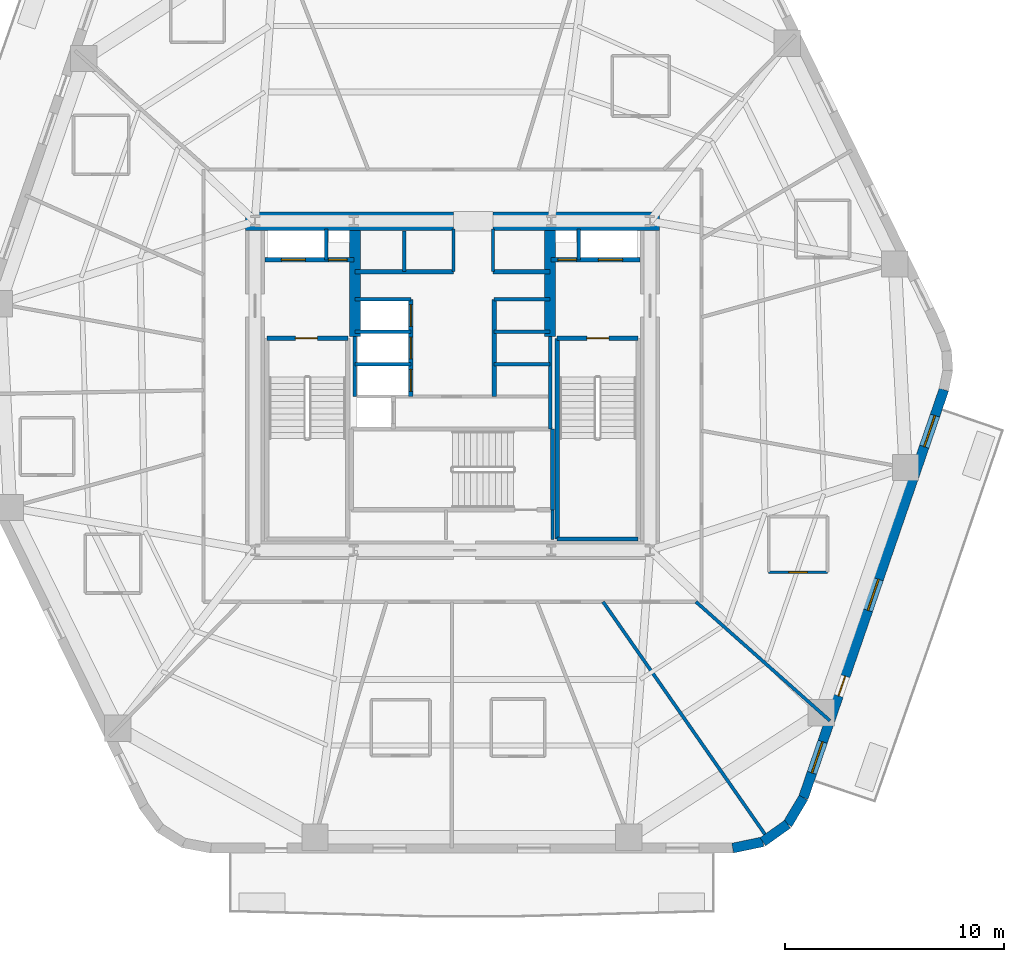
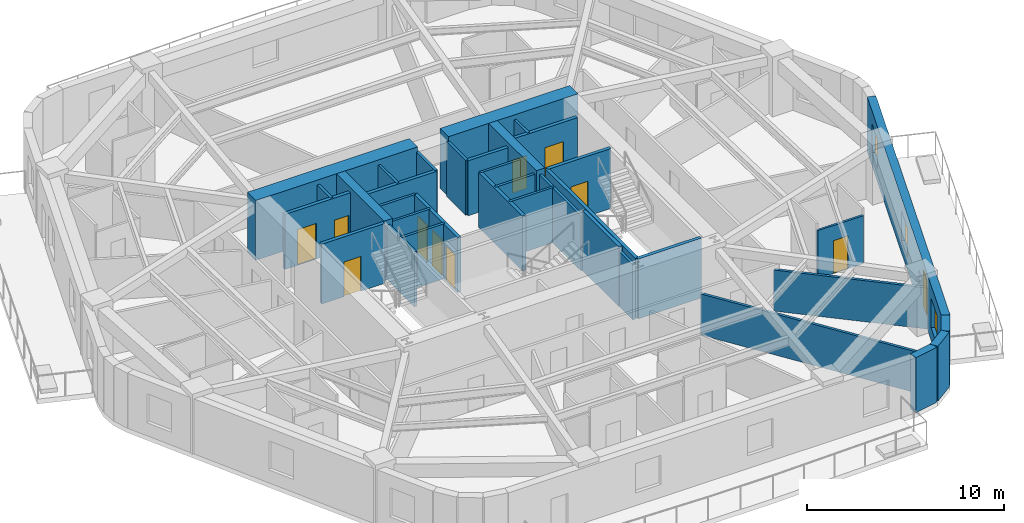
# One storey, part 4 of 8: 36 walls, 11 doors, 3 windows, 14 openings.
"""IFC4 building model written with IfcOpenShell, lengths in metres."""

import ifcopenshell
import ifcopenshell.guid

model = None  # the IFC model being written
_history = None  # IfcOwnerHistory: only IFC2X3 demands one
_inside = {}  # id of a spatial element -> (the spatial element, [elements in it])
_under = {}  # id of a project, library or spatial element -> (it, [spatial elements below it])
_declared = {}  # id of a project -> (the project, [libraries it declares])
_typed = {}  # id of a type object -> (the type object, [elements of that type])
_made_of = {}  # id of a material, layer set ... -> (it, [elements and type objects made of it])


def new_model(schema):
    """Start an empty IFC model of exactly this schema.

    Asked for "IFC4X3", IfcOpenShell would pick the latest addendum, in which some entities
    have other attributes; the version numbers below select the first issue.
    IFC2X3 requires an IfcOwnerHistory on every rooted entity: one is made here for all.
    """
    global model, _history
    if schema == "IFC4X3":
        model = ifcopenshell.file(schema_version=(4, 3, 0, 0))
    else:
        model = ifcopenshell.file(schema=schema)
    _inside.clear()
    _under.clear()
    _declared.clear()
    _typed.clear()
    _made_of.clear()
    _history = None
    if model.schema == "IFC2X3":
        org = make("IfcOrganization", Name="unknown")
        user = make(
            "IfcPersonAndOrganization",
            ThePerson=make("IfcPerson", FamilyName="unknown"),
            TheOrganization=org,
        )
        app = make(
            "IfcApplication",
            ApplicationDeveloper=org,
            Version="unknown",
            ApplicationFullName="unknown",
            ApplicationIdentifier="unknown",
        )
        _history = make(
            "IfcOwnerHistory",
            OwningUser=user,
            OwningApplication=app,
            ChangeAction="ADDED",
            CreationDate=0,
        )
    return model


def make(cls, **values):
    """One entity of the class cls with the attributes given. An attribute that is None is left unset."""
    return model.create_entity(
        cls, **{name: value for name, value in values.items() if value is not None}
    )


def rooted(cls, **values):
    """An entity with a GlobalId (a new one), such as an element, a storey or a relation."""
    return make(cls, GlobalId=ifcopenshell.guid.new(), OwnerHistory=_history, **values)


def si_unit(unit_type, name, prefix=None):
    """IfcSIUnit, for example si_unit("LENGTHUNIT", "METRE", prefix="MILLI")."""
    return make("IfcSIUnit", UnitType=unit_type, Prefix=prefix, Name=name)


def assignment(units):
    """IfcUnitAssignment: the units of a project."""
    return None if units is None else make("IfcUnitAssignment", Units=units)


def point(xyz):
    """IfcCartesianPoint."""
    return None if xyz is None else make("IfcCartesianPoint", Coordinates=xyz)


def direction(xyz):
    """IfcDirection."""
    return None if xyz is None else make("IfcDirection", DirectionRatios=xyz)


def frame(location, z_axis=None, x_axis=None):
    """IfcAxis2Placement3D, a coordinate frame: its origin and axes. An axis left out is left unset."""
    return make(
        "IfcAxis2Placement3D",
        Location=point(location),
        Axis=direction(z_axis),
        RefDirection=direction(x_axis),
    )


def frame_2d(location, x_axis=None):
    """IfcAxis2Placement2D, a coordinate frame in the plane: its origin and x axis."""
    return make(
        "IfcAxis2Placement2D", Location=point(location), RefDirection=direction(x_axis)
    )


def origin():
    """The frame at (0, 0, 0) with its axes left unset."""
    return frame((0.0, 0.0, 0.0))


def place(relative_to, where):
    """IfcLocalPlacement: puts the frame where relative to a parent placement (None: the world)."""
    return make(
        "IfcLocalPlacement", PlacementRelTo=relative_to, RelativePlacement=where
    )


def context(
    kind, dimensions, precision=None, world=None, true_north=None, identifier=None
):
    """IfcGeometricRepresentationContext, for example the 3D "Model" context."""
    return make(
        "IfcGeometricRepresentationContext",
        ContextIdentifier=identifier,
        ContextType=kind,
        CoordinateSpaceDimension=dimensions,
        Precision=precision,
        WorldCoordinateSystem=world,
        TrueNorth=true_north,
    )


def subcontext(parent, identifier, kind, view, scale=None):
    """IfcGeometricRepresentationSubContext, for example "Body" below "Model"."""
    return make(
        "IfcGeometricRepresentationSubContext",
        ContextIdentifier=identifier,
        ContextType=kind,
        ParentContext=parent,
        TargetScale=scale,
        TargetView=view,
    )


def project(units=None, contexts=None):
    """IfcProject with its units and contexts."""
    return rooted(
        "IfcProject",
        Name="project",
        RepresentationContexts=contexts,
        UnitsInContext=assignment(units),
    )


def spatial(cls, under=None, at=None, **own):
    """A site, building, storey or space (cls), placed at a placement, below another one or the project."""
    s = rooted(cls, ObjectPlacement=at, **own)
    if under is not None:
        _under.setdefault(under.id(), (under, []))[1].append(s)
    return s


def profile(cls, at=None, kind="AREA", **sizes):
    """A parametric profile (cls). Its sizes go by their IFC names, for example OverallWidth=200.0."""
    return make(cls, ProfileType=kind, Position=at, **sizes)


def rectangle(**sizes):
    """IfcRectangleProfileDef."""
    return profile("IfcRectangleProfileDef", **sizes)


def extrude(swept, where, along, depth):
    """IfcExtrudedAreaSolid: the profile swept, set in the frame where, extruded along a direction by depth."""
    return make(
        "IfcExtrudedAreaSolid",
        SweptArea=swept,
        Position=where,
        ExtrudedDirection=direction(along),
        Depth=depth,
    )


def shape(context_of_items, identifier, shape_type, items):
    """IfcShapeRepresentation: the items that make up one representation, for example the "Body"."""
    return make(
        "IfcShapeRepresentation",
        ContextOfItems=context_of_items,
        RepresentationIdentifier=identifier,
        RepresentationType=shape_type,
        Items=items,
    )


def material(Name=None, Category=None):
    """IfcMaterial."""
    return make("IfcMaterial", Name=Name, Category=Category)


def layer(
    of_material, thickness, ventilated=None, Name=None, Category=None, Priority=None
):
    """IfcMaterialLayer: one layer of a wall or slab, of a material (None: an air gap)."""
    return make(
        "IfcMaterialLayer",
        Material=of_material,
        LayerThickness=thickness,
        IsVentilated=ventilated,
        Name=Name,
        Category=Category,
        Priority=Priority,
    )


def layer_set(layers, Name=None):
    """IfcMaterialLayerSet."""
    return make("IfcMaterialLayerSet", MaterialLayers=layers, LayerSetName=Name)


def made_of(thing, what):
    """Note that an element or type object is made of a material, layer set ...; save() writes the relation."""
    if what is not None:
        _made_of.setdefault(what.id(), (what, []))[1].append(thing)
    return thing


def type_object(cls, material=None, **own):
    """A type object (cls), such as IfcWallType, which elements share."""
    return made_of(rooted(cls, **own), material)


def element(
    cls,
    number,
    at=None,
    inside=None,
    cuts=None,
    type_object=None,
    material=None,
    context=None,
    identifier="Body",
    shape_type=None,
    held_by="IfcProductDefinitionShape",
    body=None,
    shapes=None,
    **own,
):
    """One element of the class cls, such as IfcWall. Its Tag is "e" and its number.

    at: its placement. inside: the storey or other place that contains it. cuts: it is an
    opening in that element (IfcRelVoidsElement). A single representation is given by context,
    identifier, shape_type and body (its items); several are given by shapes. held_by: the class
    of the entity that holds the representations. save() writes the other relations.
    """
    e = rooted(cls, Tag="e%d" % number, ObjectPlacement=at, **own)
    if body is not None:
        shapes = [shape(context, identifier, shape_type, body)]
    if shapes is not None:
        e.Representation = make(held_by, Representations=shapes)
    if inside is not None:
        _inside.setdefault(inside.id(), (inside, []))[1].append(e)
    if cuts is not None:
        rooted(
            "IfcRelVoidsElement", RelatingBuildingElement=cuts, RelatedOpeningElement=e
        )
    if type_object is not None:
        _typed.setdefault(type_object.id(), (type_object, []))[1].append(e)
    return made_of(e, material)


def fill(opening, filler):
    """IfcRelFillsElement: the door or window that sits in an opening."""
    return rooted(
        "IfcRelFillsElement",
        RelatingOpeningElement=opening,
        RelatedBuildingElement=filler,
    )


def aggregate(whole, parts):
    """IfcRelAggregates: a whole, such as a stair, and the parts it consists of."""
    return rooted("IfcRelAggregates", RelatingObject=whole, RelatedObjects=parts)


def save(model, path):
    """Write the relations noted so far, then the file.

    IfcRelAggregates (storeys below a building ...), IfcRelContainedInSpatialStructure (elements
    in a storey), IfcRelDefinesByType, IfcRelAssociatesMaterial and IfcRelDeclares: one each for
    every whole, place, type object, material and project.
    """
    for whole, parts in _under.values():
        aggregate(whole, parts)
    for where, things in _inside.values():
        rooted(
            "IfcRelContainedInSpatialStructure",
            RelatedElements=things,
            RelatingStructure=where,
        )
    for kind, things in _typed.values():
        rooted("IfcRelDefinesByType", RelatedObjects=things, RelatingType=kind)
    for what, things in _made_of.values():
        rooted("IfcRelAssociatesMaterial", RelatedObjects=things, RelatingMaterial=what)
    for by, libraries in _declared.values():
        rooted("IfcRelDeclares", RelatingContext=by, RelatedDefinitions=libraries)
    model.write(path)


model = new_model("IFC4")

# Units and contexts
model_context = context("Model", 3, precision=1e-05, world=origin(), true_north=direction((0.0, 1.0)))
body_context = subcontext(model_context, "Body", "Model", "MODEL_VIEW")
ifc_project = project(units=[si_unit("LENGTHUNIT", "METRE"), si_unit("AREAUNIT", "SQUARE_METRE"), si_unit("VOLUMEUNIT", "CUBIC_METRE"), si_unit("PLANEANGLEUNIT", "RADIAN"), si_unit("MASSUNIT", "GRAM", prefix="KILO")], contexts=[model_context])

# Site, building, storey
site_placement = place(None, origin())
site = spatial("IfcSite", under=ifc_project, at=site_placement, CompositionType="ELEMENT")
building_placement = place(site_placement, origin())
building = spatial("IfcBuilding", under=site, at=building_placement, Name="Kilnhurst Terrace Hotel", CompositionType="ELEMENT")
storey_placement = place(building_placement, frame((0.0, 0.0, 109.89990234375)))
storey = spatial("IfcBuildingStorey", under=building, at=storey_placement, Name="L26", CompositionType="ELEMENT", Elevation=109.89990234375)

# Walls
ifc_material_1 = material(Name="Precast concrete C40/50", Category="concrete")
ifc_layer_1 = layer(ifc_material_1, 0.449951171875, Name="Precast concrete C40/50")
ifc_layer_set_1 = layer_set([ifc_layer_1], Name="Precast concrete C40/50")
wall_type_1 = type_object("IfcWallType", Name="WL-BRK-450", PredefinedType="SOLIDWALL", material=ifc_layer_set_1)
wall_1_placement = place(storey_placement, frame((12.7705078125, -21.074951171875, 0.0), z_axis=(0.0, 0.0, 1.0), x_axis=(0.97874281988, 0.205091424819, 0.0)))
element("IfcWall", 1, at=wall_1_placement, inside=storey, type_object=wall_type_1, Name="L26 Rounded Corner Brick Wall C2.1", PredefinedType="SOLIDWALL", context=body_context, shape_type="SweptSolid", body=[
    extrude(rectangle(XDim=1.40576171875, YDim=0.449951171875, at=frame_2d((0.702880859375, 0.0))), origin(), (0.0, 0.0, 1.0), 3.400146484375),
])
wall_2_placement = place(storey_placement, frame((14.146484375, -20.78662109375, 0.0), z_axis=(0.0, 0.0, 1.0), x_axis=(0.814162929117, 0.580636482536, 0.0)))
element("IfcWall", 2, at=wall_2_placement, inside=storey, type_object=wall_type_1, Name="L26 Rounded Corner Brick Wall C2.2", PredefinedType="SOLIDWALL", context=body_context, shape_type="SweptSolid", body=[
    extrude(rectangle(XDim=1.382080078125, YDim=0.449951171875, at=frame_2d((0.69091796875, 0.0))), origin(), (0.0, 0.0, 1.0), 3.400146484375),
])
wall_3_placement = place(storey_placement, frame((15.271728515625, -19.984130859375, 0.0), z_axis=(0.0, 0.0, 1.0), x_axis=(0.512579347361, 0.858639862025, 0.0)))
element("IfcWall", 3, at=wall_3_placement, inside=storey, type_object=wall_type_1, Name="L26 Rounded Corner Brick Wall C2.3", PredefinedType="SOLIDWALL", context=body_context, shape_type="SweptSolid", body=[
    extrude(rectangle(XDim=1.406005859375, YDim=0.449951171875, at=frame_2d((0.703125, 0.0))), origin(), (0.0, 0.0, 1.0), 3.400146484375),
])

# Wall, openings, door, windows
wall_4_placement = place(storey_placement, frame((15.992431640625, -18.77685546875, 0.0), z_axis=(0.0, 0.0, 1.0), x_axis=(0.325606988926, 0.945505202927, 0.0)))
wall_4 = element("IfcWall", 4, at=wall_4_placement, inside=storey, type_object=wall_type_1, Name="L26 Exterior Brick Facade Wall F2", PredefinedType="SOLIDWALL", context=body_context, shape_type="SweptSolid", body=[
    extrude(rectangle(XDim=19.66943359375, YDim=0.449951171875, at=frame_2d((9.834716796875, 0.0))), origin(), (0.0, 0.0, 1.0), 3.400146484375),
])
opening_1_placement = place(wall_4_placement, frame((4.908935546875, 0.0, 0.0)))
opening_1 = element("IfcOpeningElement", 5, at=opening_1_placement, cuts=wall_4, Name="Opening BD-950", PredefinedType="OPENING", context=body_context, shape_type="SweptSolid", body=[
    extrude(rectangle(XDim=0.949951171875, YDim=2.14990234375, at=frame_2d((0.47509765625, 1.074951171875))), frame((0.0, 0.23486328125, 0.0), z_axis=(0.0, -1.0, 0.0), x_axis=(1.0, 0.0, 0.0)), (0.0, 0.0, 1.0), 0.469970703125),
])
opening_2_placement = place(wall_4_placement, frame((1.197021484375, 0.0, 0.800048828125)))
opening_2 = element("IfcOpeningElement", 6, at=opening_2_placement, cuts=wall_4, Name="Opening W-02", PredefinedType="OPENING", context=body_context, shape_type="SweptSolid", body=[
    extrude(rectangle(XDim=1.5, YDim=1.800048828125, at=frame_2d((0.75, 0.89990234375))), frame((0.0, 0.23486328125, 0.0), z_axis=(0.0, -1.0, 0.0), x_axis=(1.0, 0.0, 0.0)), (0.0, 0.0, 1.0), 0.469970703125),
])
opening_3_placement = place(wall_4_placement, frame((9.030029296875, 0.0, 0.800048828125)))
opening_3 = element("IfcOpeningElement", 7, at=opening_3_placement, cuts=wall_4, Name="Opening W-02", PredefinedType="OPENING", context=body_context, shape_type="SweptSolid", body=[
    extrude(rectangle(XDim=1.5, YDim=1.800048828125, at=frame_2d((0.75, 0.89990234375))), frame((0.0, 0.23486328125, 0.0), z_axis=(0.0, -1.0, 0.0), x_axis=(1.0, 0.0, 0.0)), (0.0, 0.0, 1.0), 0.469970703125),
])
opening_4_placement = place(wall_4_placement, frame((16.91796875, 0.0, 0.800048828125)))
opening_4 = element("IfcOpeningElement", 8, at=opening_4_placement, cuts=wall_4, Name="Opening W-02", PredefinedType="OPENING", context=body_context, shape_type="SweptSolid", body=[
    extrude(rectangle(XDim=1.5, YDim=1.800048828125, at=frame_2d((0.75, 0.89990234375))), frame((0.0, 0.23486328125, 0.0), z_axis=(0.0, -1.0, 0.0), x_axis=(1.0, 0.0, 0.0)), (0.0, 0.0, 1.0), 0.469970703125),
])
ifc_material_2 = material(Name="Thermally Broken Bronze Aluminium Alloy 6063-T6 and Laminated Glass", Category="aluminium")
door_type_1 = type_object("IfcDoorType", Name="DR-EXT-BAL-950", OperationType="NOTDEFINED", PredefinedType="DOOR", material=ifc_material_2)
door_1_placement = place(opening_1_placement, origin())
door_1 = element("IfcDoor", 9, at=door_1_placement, inside=storey, type_object=door_type_1, Name="L26 Planted Balcony Door BAL-L1B", OperationType="SINGLE_SWING_RIGHT", OverallHeight=2.14990234375, OverallWidth=0.949951171875, PredefinedType="DOOR", context=body_context, shape_type="SweptSolid", body=[
    extrude(rectangle(XDim=0.949951171875, YDim=2.14990234375, at=frame_2d((0.47509765625, 1.074951171875))), frame((0.0, 0.02490234375, 0.0), z_axis=(0.0, -1.0, 0.0), x_axis=(1.0, 0.0, 0.0)), (0.0, 0.0, 1.0), 0.050048828125),
])
fill(opening_1, door_1)
ifc_material_3 = material(Name="Thermally Broken Bronze Aluminium Alloy 6063-T6 and Low-E Glass", Category="aluminium")
window_type = type_object("IfcWindowType", Name="WIN-1500X1800", PartitioningType="SINGLE_PANEL", PredefinedType="WINDOW", material=ifc_material_3)
window_1_placement = place(opening_2_placement, origin())
window_1 = element("IfcWindow", 10, at=window_1_placement, inside=storey, type_object=window_type, Name="L26 Deep-Set Masonry Window F2.1", OverallHeight=1.800048828125, OverallWidth=1.5, PartitioningType="SINGLE_PANEL", PredefinedType="WINDOW", context=body_context, shape_type="SweptSolid", body=[
    extrude(rectangle(XDim=1.5, YDim=1.800048828125, at=frame_2d((0.75, 0.89990234375))), frame((0.0, 0.030029296875, 0.0), z_axis=(0.0, -1.0, 0.0), x_axis=(1.0, 0.0, 0.0)), (0.0, 0.0, 1.0), 0.06005859375),
])
fill(opening_2, window_1)
window_2_placement = place(opening_3_placement, origin())
window_2 = element("IfcWindow", 11, at=window_2_placement, inside=storey, type_object=window_type, Name="L26 Deep-Set Masonry Window F2.2", OverallHeight=1.800048828125, OverallWidth=1.5, PartitioningType="SINGLE_PANEL", PredefinedType="WINDOW", context=body_context, shape_type="SweptSolid", body=[
    extrude(rectangle(XDim=1.5, YDim=1.800048828125, at=frame_2d((0.75, 0.89990234375))), frame((0.0, 0.030029296875, 0.0), z_axis=(0.0, -1.0, 0.0), x_axis=(1.0, 0.0, 0.0)), (0.0, 0.0, 1.0), 0.06005859375),
])
fill(opening_3, window_2)
window_3_placement = place(opening_4_placement, origin())
window_3 = element("IfcWindow", 12, at=window_3_placement, inside=storey, type_object=window_type, Name="L26 Deep-Set Masonry Window F2.3", OverallHeight=1.800048828125, OverallWidth=1.5, PartitioningType="SINGLE_PANEL", PredefinedType="WINDOW", context=body_context, shape_type="SweptSolid", body=[
    extrude(rectangle(XDim=1.5, YDim=1.800048828125, at=frame_2d((0.75, 0.89990234375))), frame((0.0, 0.030029296875, 0.0), z_axis=(0.0, -1.0, 0.0), x_axis=(1.0, 0.0, 0.0)), (0.0, 0.0, 1.0), 0.06005859375),
])
fill(opening_4, window_3)

# Walls
ifc_material_4 = material(Name="Concrete C80/95", Category="concrete")
ifc_layer_2 = layer(ifc_material_4, 0.85009765625, Name="Concrete C80/95")
ifc_layer_set_2 = layer_set([ifc_layer_2], Name="Concrete C80/95")
wall_type_2 = type_object("IfcWallType", Name="WL-CORE-850", PredefinedType="SHEAR", material=ifc_layer_set_2)
wall_5_placement = place(storey_placement, frame((-9.425048828125, 7.5, 0.0), z_axis=(0.0, 0.0, 1.0), x_axis=(1.0, 0.0, 0.0)))
element("IfcWall", 13, at=wall_5_placement, inside=storey, type_object=wall_type_2, Name="L26 Core North West Shear Wall", PredefinedType="SHEAR", context=body_context, shape_type="SweptSolid", body=[
    extrude(rectangle(XDim=9.47509765625, YDim=0.85009765625, at=frame_2d((4.737548828125, 0.0))), origin(), (0.0, 0.0, 1.0), 3.7001953125),
])
wall_6_placement = place(storey_placement, frame((1.85009765625, 7.5, 0.0), z_axis=(0.0, 0.0, 1.0), x_axis=(1.0, 0.0, 0.0)))
element("IfcWall", 14, at=wall_6_placement, inside=storey, type_object=wall_type_2, Name="L26 Core North East Shear Wall", PredefinedType="SHEAR", context=body_context, shape_type="SweptSolid", body=[
    extrude(rectangle(XDim=7.574951171875, YDim=0.85009765625, at=frame_2d((3.78759765625, 0.0))), origin(), (0.0, 0.0, 1.0), 3.7001953125),
])
ifc_material_5 = material(Name="Concrete C60/75", Category="concrete")
ifc_layer_3 = layer(ifc_material_5, 0.5, Name="Concrete C60/75")
ifc_layer_set_3 = layer_set([ifc_layer_3], Name="Concrete C60/75")
wall_type_3 = type_object("IfcWallType", Name="WL-CORE-WEB-500", PredefinedType="SHEAR", material=ifc_layer_set_3)
for number, where, z_axis, x_axis, name in (
    (15, (-4.449951171875, 2.25, 0.0), (0.0, 0.0, 1.0), (0.0, 1.0, 0.0), "L26 Core Internal West Shear Web"),
    (16, (4.449951171875, 2.25, 0.0), (0.0, 0.0, 1.0), (0.0, 1.0, 0.0), "L26 Core Internal East Shear Web"),
):
    element("IfcWall", number, at=place(storey_placement, frame(where, z_axis=z_axis, x_axis=x_axis)), inside=storey, type_object=wall_type_3, Name=name, PredefinedType="SHEAR", context=body_context, shape_type="SweptSolid", body=[
        extrude(rectangle(XDim=4.824951171875, YDim=0.5, at=frame_2d((2.41259765625, 0.0))), origin(), (0.0, 0.0, 1.0), 3.7001953125),
    ])
ifc_material_6 = material(Name="STC-58 Acoustic Twin-Frame Guestroom Demising Partition")
ifc_layer_4 = layer(ifc_material_6, 0.14990234375, Name="STC-58 Acoustic Twin-Frame Guestroom Demising Partition")
ifc_layer_set_4 = layer_set([ifc_layer_4], Name="STC-58 Acoustic Twin-Frame Guestroom Demising Partition")
wall_type_4 = type_object("IfcWallType", Name="WL-DEM-150", PredefinedType="PARTITIONING", material=ifc_layer_set_4)
wall_7_placement = place(storey_placement, frame((6.861083984375, -9.85009765625, 0.0), z_axis=(0.0, 0.0, 1.0), x_axis=(0.571575431292, -0.820549527051, 0.0)))
element("IfcWall", 17, at=wall_7_placement, inside=storey, type_object=wall_type_4, Name="L26 Interior Wall WL-L26-DEM-MID10-15-1", PredefinedType="PARTITIONING", context=body_context, shape_type="SweptSolid", body=[
    extrude(rectangle(XDim=12.97509765625, YDim=0.14990234375, at=frame_2d((6.487548828125, 0.0))), origin(), (0.0, 0.0, 1.0), 2.5400390625),
])
wall_8_placement = place(storey_placement, frame((11.097900390625, -9.85009765625, 0.0), z_axis=(0.0, 0.0, 1.0), x_axis=(0.747904295103, -0.663806572253, 0.0)))
element("IfcWall", 18, at=wall_8_placement, inside=storey, type_object=wall_type_4, Name="L26 Interior Wall WL-L26-DEM-COL11-16-1", PredefinedType="PARTITIONING", context=body_context, shape_type="SweptSolid", body=[
    extrude(rectangle(XDim=8.160400390625, YDim=0.14990234375, at=frame_2d((4.080078125, 0.0))), origin(), (0.0, 0.0, 1.0), 2.5400390625),
])

# Wall, opening, door
ifc_material_7 = material(Name="120 mm Moisture-Resistant Tile-Backed Bathroom Partition")
ifc_layer_5 = layer(ifc_material_7, 0.1201171875, Name="120 mm Moisture-Resistant Tile-Backed Bathroom Partition")
ifc_layer_set_5 = layer_set([ifc_layer_5], Name="120 mm Moisture-Resistant Tile-Backed Bathroom Partition")
wall_type_5 = type_object("IfcWallType", Name="WL-PART-120", PredefinedType="PARTITIONING", material=ifc_layer_set_5)
wall_9_placement = place(storey_placement, frame((14.4140625, -8.5, 0.0), z_axis=(0.0, 0.0, 1.0), x_axis=(1.0, 0.0, 0.0)))
wall_9 = element("IfcWall", 19, at=wall_9_placement, inside=storey, type_object=wall_type_5, Name="L26 Interior Wall WL-L26-BTH-16-1", PredefinedType="PARTITIONING", context=body_context, shape_type="SweptSolid", body=[
    extrude(rectangle(XDim=2.679931640625, YDim=0.1201171875, at=frame_2d((1.33984375, 0.0))), origin(), (0.0, 0.0, 1.0), 2.972412109375),
])
opening_5_placement = place(wall_9_placement, frame((0.9150390625, 0.0, 0.0)))
opening_5 = element("IfcOpeningElement", 20, at=opening_5_placement, cuts=wall_9, Name="Opening D-08A", PredefinedType="OPENING", context=body_context, shape_type="SweptSolid", body=[
    extrude(rectangle(XDim=0.85009765625, YDim=2.030029296875, at=frame_2d((0.425048828125, 1.01513671875))), frame((0.0, 0.070068359375, 0.0), z_axis=(0.0, -1.0, 0.0), x_axis=(1.0, 0.0, 0.0)), (0.0, 0.0, 1.0), 0.14013671875),
])
ifc_material_8 = material(Name="Moisture-Resistant Lacquered En-suite Bathroom Door")
door_type_2 = type_object("IfcDoorType", Name="DR-INT-850", OperationType="NOTDEFINED", PredefinedType="DOOR", material=ifc_material_8)
door_2_placement = place(opening_5_placement, origin())
door_2 = element("IfcDoor", 21, at=door_2_placement, inside=storey, type_object=door_type_2, Name="L26 En-suite Bathroom Door 16", OperationType="SINGLE_SWING_LEFT", OverallHeight=2.030029296875, OverallWidth=0.85009765625, PredefinedType="DOOR", context=body_context, shape_type="SweptSolid", body=[
    extrude(rectangle(XDim=0.85009765625, YDim=2.030029296875, at=frame_2d((0.425048828125, 1.01513671875))), frame((0.0, 0.02490234375, 0.0), z_axis=(0.0, -1.0, 0.0), x_axis=(1.0, 0.0, 0.0)), (0.0, 0.0, 1.0), 0.050048828125),
])
fill(opening_5, door_2)

# Walls
ifc_material_9 = material(Name="Fire-Rated Gypsum Shaftliner Assembly")
ifc_layer_6 = layer(ifc_material_9, 0.14990234375, Name="Fire-Rated Gypsum Shaftliner Assembly")
ifc_layer_set_6 = layer_set([ifc_layer_6], Name="Fire-Rated Gypsum Shaftliner Assembly")
wall_type_6 = type_object("IfcWallType", Name="WL-SHAFT-150", PredefinedType="PARTITIONING", material=ifc_layer_set_6)
wall_10_placement = place(storey_placement, frame((4.55810546875, -7.02001953125, 0.0), z_axis=(0.0, 0.0, 1.0), x_axis=(0.0, 1.0, 0.0)))
element("IfcWall", 22, at=wall_10_placement, inside=storey, type_object=wall_type_6, Name="L26 Interior Wall WL-L26-ST3-PSGE", PredefinedType="PARTITIONING", context=body_context, shape_type="SweptSolid", body=[
    extrude(rectangle(XDim=1.362060546875, YDim=0.14990234375, at=frame_2d((0.68115234375, 0.0))), origin(), (0.0, 0.0, 1.0), 3.400146484375),
])
for number, where, z_axis, x_axis, name in (
    (23, (-5.75, 5.739990234375, 0.0), (0.0, 0.0, 1.0), (0.0, 1.0, 0.0), "L26 Interior Wall WL-L26-RIS1-DIV"),
    (24, (5.75, 5.739990234375, 0.0), (0.0, 0.0, 1.0), (0.0, 1.0, 0.0), "L26 Interior Wall WL-L26-RIS2-DIV"),
):
    element("IfcWall", number, at=place(storey_placement, frame(where, z_axis=z_axis, x_axis=x_axis)), inside=storey, type_object=wall_type_6, Name=name, PredefinedType="PARTITIONING", context=body_context, shape_type="SweptSolid", body=[
        extrude(rectangle(XDim=1.409912109375, YDim=0.14990234375, at=frame_2d((0.705078125, 0.0))), origin(), (0.0, 0.0, 1.0), 3.400146484375),
    ])
wall_11_placement = place(storey_placement, frame((-2.199951171875, 5.199951171875, 0.0), z_axis=(0.0, 0.0, 1.0), x_axis=(0.0, 1.0, 0.0)))
element("IfcWall", 25, at=wall_11_placement, inside=storey, type_object=wall_type_6, Name="L26 Interior Wall WL-L26-HR-DIV1", PredefinedType="PARTITIONING", context=body_context, shape_type="SweptSolid", body=[
    extrude(rectangle(XDim=1.85009765625, YDim=0.14990234375, at=frame_2d((0.925048828125, 0.0))), origin(), (0.0, 0.0, 1.0), 3.400146484375),
])
for number, where, z_axis, x_axis, name in (
    (26, (0.050048828125, 5.199951171875, 0.0), (0.0, 0.0, 1.0), (0.0, 1.0, 0.0), "L26 Interior Wall WL-L26-HR-PORTAL-W"),
    (27, (1.85009765625, 5.199951171875, 0.0), (0.0, 0.0, 1.0), (0.0, 1.0, 0.0), "L26 Interior Wall WL-L26-HR-PORTAL-E"),
):
    element("IfcWall", number, at=place(storey_placement, frame(where, z_axis=z_axis, x_axis=x_axis)), inside=storey, type_object=wall_type_6, Name=name, PredefinedType="PARTITIONING", context=body_context, shape_type="SweptSolid", body=[
        extrude(rectangle(XDim=1.949951171875, YDim=0.14990234375, at=frame_2d((0.97509765625, 0.0))), origin(), (0.0, 0.0, 1.0), 3.400146484375),
    ])
wall_12_placement = place(storey_placement, frame((-4.449951171875, -0.5, 0.0), z_axis=(0.0, 0.0, 1.0), x_axis=(0.0, 1.0, 0.0)))
element("IfcWall", 28, at=wall_12_placement, inside=storey, type_object=wall_type_6, Name="L26 Interior Wall WL-L26-XLOB-W", PredefinedType="PARTITIONING", context=body_context, shape_type="SweptSolid", body=[
    extrude(rectangle(XDim=2.75, YDim=0.14990234375, at=frame_2d((1.375, 0.0))), origin(), (0.0, 0.0, 1.0), 3.400146484375),
])
wall_13_placement = place(storey_placement, frame((4.449951171875, -1.971923828125, 0.0), z_axis=(0.0, 0.0, 1.0), x_axis=(0.0, 1.0, 0.0)))
element("IfcWall", 29, at=wall_13_placement, inside=storey, type_object=wall_type_6, Name="L26 Interior Wall WL-L26-XLOB-E", PredefinedType="PARTITIONING", context=body_context, shape_type="SweptSolid", body=[
    extrude(rectangle(XDim=4.221923828125, YDim=0.14990234375, at=frame_2d((2.11083984375, 0.0))), origin(), (0.0, 0.0, 1.0), 3.400146484375),
])
for number, where, z_axis, x_axis, name in (
    (30, (-4.449951171875, 3.93994140625, 0.0), (0.0, 0.0, 1.0), (1.0, 0.0, 0.0), "L26 Interior Wall WL-L26-LR-NORTH"),
    (31, (-4.449951171875, 0.97998046875, 0.0), (0.0, 0.0, 1.0), (1.0, 0.0, 0.0), "L26 Interior Wall WL-L26-LR-D1"),
    (32, (-4.449951171875, 2.4599609375, 0.0), (0.0, 0.0, 1.0), (1.0, 0.0, 0.0), "L26 Interior Wall WL-L26-LR-D2"),
    (33, (1.89990234375, 3.93994140625, 0.0), (0.0, 0.0, 1.0), (1.0, 0.0, 0.0), "L26 Interior Wall WL-L26-MR-NORTH"),
    (34, (1.89990234375, 0.97998046875, 0.0), (0.0, 0.0, 1.0), (1.0, 0.0, 0.0), "L26 Interior Wall WL-L26-MR-D1"),
    (35, (1.89990234375, 2.4599609375, 0.0), (0.0, 0.0, 1.0), (1.0, 0.0, 0.0), "L26 Interior Wall WL-L26-MR-D2"),
):
    element("IfcWall", number, at=place(storey_placement, frame(where, z_axis=z_axis, x_axis=x_axis)), inside=storey, type_object=wall_type_6, Name=name, PredefinedType="PARTITIONING", context=body_context, shape_type="SweptSolid", body=[
        extrude(rectangle(XDim=2.550048828125, YDim=0.14990234375, at=frame_2d((1.27490234375, 0.0))), origin(), (0.0, 0.0, 1.0), 3.400146484375),
    ])

# Wall, openings, doors
ifc_material_10 = material(Name="Autoclaved Aerated Concrete C30/37 and Gypsum Shaft Assembly", Category="concrete")
ifc_layer_7 = layer(ifc_material_10, 0.199951171875, Name="Autoclaved Aerated Concrete C30/37 and Gypsum Shaft Assembly")
ifc_layer_set_7 = layer_set([ifc_layer_7], Name="Autoclaved Aerated Concrete C30/37 and Gypsum Shaft Assembly")
wall_type_7 = type_object("IfcWallType", Name="WL-SHAFT-200", PredefinedType="PARTITIONING", material=ifc_layer_set_7)
wall_14_placement = place(storey_placement, frame((-8.550048828125, 5.739990234375, 0.0), z_axis=(0.0, 0.0, 1.0), x_axis=(1.0, 0.0, 0.0)))
wall_14 = element("IfcWall", 36, at=wall_14_placement, inside=storey, type_object=wall_type_7, Name="L26 Interior Wall WL-L26-FSAE1-S", PredefinedType="PARTITIONING", context=body_context, shape_type="SweptSolid", body=[
    extrude(rectangle(XDim=4.050048828125, YDim=0.199951171875, at=frame_2d((2.02490234375, 0.0))), origin(), (0.0, 0.0, 1.0), 3.400146484375),
])
opening_6_placement = place(wall_14_placement, frame((0.75, 0.0, 0.0)))
opening_6 = element("IfcOpeningElement", 37, at=opening_6_placement, cuts=wall_14, Name="Opening LD-F1", PredefinedType="OPENING", context=body_context, shape_type="SweptSolid", body=[
    extrude(rectangle(XDim=1.10009765625, YDim=2.199951171875, at=frame_2d((0.550048828125, 1.10009765625))), frame((0.0, 0.10986328125, 0.0), z_axis=(0.0, -1.0, 0.0), x_axis=(1.0, 0.0, 0.0)), (0.0, 0.0, 1.0), 0.219970703125),
])
opening_7_placement = place(wall_14_placement, frame((2.89990234375, 0.0, 0.0)))
opening_7 = element("IfcOpeningElement", 38, at=opening_7_placement, cuts=wall_14, Name="Opening D-60D", PredefinedType="OPENING", context=body_context, shape_type="SweptSolid", body=[
    extrude(rectangle(XDim=0.85009765625, YDim=2.030029296875, at=frame_2d((0.425048828125, 1.01513671875))), frame((0.0, 0.10986328125, 0.0), z_axis=(0.0, -1.0, 0.0), x_axis=(1.0, 0.0, 0.0)), (0.0, 0.0, 1.0), 0.219970703125),
])
ifc_material_11 = material(Name="Painted Hollow Metal Steel ASTM A36 Riser Door", Category="steel")
door_type_3 = type_object("IfcDoorType", Name="DR-FD60-850", OperationType="NOTDEFINED", PredefinedType="DOOR", material=ifc_material_11)
door_3_placement = place(opening_7_placement, origin())
door_3 = element("IfcDoor", 39, at=door_3_placement, inside=storey, type_object=door_type_3, Name="L26 Electrical Riser Door", OperationType="SINGLE_SWING_LEFT", OverallHeight=2.030029296875, OverallWidth=0.85009765625, PredefinedType="DOOR", context=body_context, shape_type="SweptSolid", body=[
    extrude(rectangle(XDim=0.85009765625, YDim=2.030029296875, at=frame_2d((0.425048828125, 1.01513671875))), frame((0.0, 0.02490234375, 0.0), z_axis=(0.0, -1.0, 0.0), x_axis=(1.0, 0.0, 0.0)), (0.0, 0.0, 1.0), 0.050048828125),
])
fill(opening_7, door_3)
ifc_material_12 = material(Name="Bronze-Anodized Stainless Steel AISI 316L Sliding Door", Category="steel")
door_type_4 = type_object("IfcDoorType", Name="DR-LIFT-1100", OperationType="NOTDEFINED", PredefinedType="DOOR", material=ifc_material_12)
door_4_placement = place(opening_6_placement, origin())
door_4 = element("IfcDoor", 40, at=door_4_placement, inside=storey, type_object=door_type_4, Name="L26 FSAE-1 Landing Door", OperationType="SLIDING_TO_LEFT", OverallHeight=2.199951171875, OverallWidth=1.10009765625, PredefinedType="DOOR", context=body_context, shape_type="SweptSolid", body=[
    extrude(rectangle(XDim=1.10009765625, YDim=2.199951171875, at=frame_2d((0.550048828125, 1.10009765625))), frame((0.0, 0.02490234375, 0.0), z_axis=(0.0, -1.0, 0.0), x_axis=(1.0, 0.0, 0.0)), (0.0, 0.0, 1.0), 0.050048828125),
])
fill(opening_6, door_4)

wall_15_placement = place(storey_placement, frame((4.5, 5.739990234375, 0.0), z_axis=(0.0, 0.0, 1.0), x_axis=(1.0, 0.0, 0.0)))
wall_15 = element("IfcWall", 41, at=wall_15_placement, inside=storey, type_object=wall_type_7, Name="L26 Interior Wall WL-L26-FSAE2-S", PredefinedType="PARTITIONING", context=body_context, shape_type="SweptSolid", body=[
    extrude(rectangle(XDim=4.050048828125, YDim=0.199951171875, at=frame_2d((2.02490234375, 0.0))), origin(), (0.0, 0.0, 1.0), 3.400146484375),
])
opening_8_placement = place(wall_15_placement, frame((0.300048828125, 0.0, 0.0)))
opening_8 = element("IfcOpeningElement", 42, at=opening_8_placement, cuts=wall_15, Name="Opening D-60D", PredefinedType="OPENING", context=body_context, shape_type="SweptSolid", body=[
    extrude(rectangle(XDim=0.85009765625, YDim=2.030029296875, at=frame_2d((0.425048828125, 1.01513671875))), frame((0.0, 0.10986328125, 0.0), z_axis=(0.0, -1.0, 0.0), x_axis=(1.0, 0.0, 0.0)), (0.0, 0.0, 1.0), 0.219970703125),
])
opening_9_placement = place(wall_15_placement, frame((2.14990234375, 0.0, 0.0)))
opening_9 = element("IfcOpeningElement", 43, at=opening_9_placement, cuts=wall_15, Name="Opening LD-F2", PredefinedType="OPENING", context=body_context, shape_type="SweptSolid", body=[
    extrude(rectangle(XDim=1.10009765625, YDim=2.199951171875, at=frame_2d((0.550048828125, 1.10009765625))), frame((0.0, 0.10986328125, 0.0), z_axis=(0.0, -1.0, 0.0), x_axis=(1.0, 0.0, 0.0)), (0.0, 0.0, 1.0), 0.219970703125),
])
door_5_placement = place(opening_8_placement, origin())
door_5 = element("IfcDoor", 44, at=door_5_placement, inside=storey, type_object=door_type_3, Name="L26 Telecom Riser Door", OperationType="SINGLE_SWING_RIGHT", OverallHeight=2.030029296875, OverallWidth=0.85009765625, PredefinedType="DOOR", context=body_context, shape_type="SweptSolid", body=[
    extrude(rectangle(XDim=0.85009765625, YDim=2.030029296875, at=frame_2d((0.425048828125, 1.01513671875))), frame((0.0, 0.02490234375, 0.0), z_axis=(0.0, -1.0, 0.0), x_axis=(1.0, 0.0, 0.0)), (0.0, 0.0, 1.0), 0.050048828125),
])
fill(opening_8, door_5)
door_6_placement = place(opening_9_placement, origin())
door_6 = element("IfcDoor", 45, at=door_6_placement, inside=storey, type_object=door_type_4, Name="L26 FSAE-2 Landing Door", OperationType="SLIDING_TO_RIGHT", OverallHeight=2.199951171875, OverallWidth=1.10009765625, PredefinedType="DOOR", context=body_context, shape_type="SweptSolid", body=[
    extrude(rectangle(XDim=1.10009765625, YDim=2.199951171875, at=frame_2d((0.550048828125, 1.10009765625))), frame((0.0, 0.02490234375, 0.0), z_axis=(0.0, -1.0, 0.0), x_axis=(1.0, 0.0, 0.0)), (0.0, 0.0, 1.0), 0.050048828125),
])
fill(opening_9, door_6)

# Walls
wall_16_placement = place(storey_placement, frame((-4.449951171875, 5.199951171875, 0.0), z_axis=(0.0, 0.0, 1.0), x_axis=(1.0, 0.0, 0.0)))
element("IfcWall", 46, at=wall_16_placement, inside=storey, type_object=wall_type_7, Name="L26 Interior Wall WL-L26-HR-SW", PredefinedType="PARTITIONING", context=body_context, shape_type="SweptSolid", body=[
    extrude(rectangle(XDim=4.5, YDim=0.199951171875, at=frame_2d((2.25, 0.0))), origin(), (0.0, 0.0, 1.0), 3.400146484375),
])
wall_17_placement = place(storey_placement, frame((1.85009765625, 5.199951171875, 0.0), z_axis=(0.0, 0.0, 1.0), x_axis=(1.0, 0.0, 0.0)))
element("IfcWall", 47, at=wall_17_placement, inside=storey, type_object=wall_type_7, Name="L26 Interior Wall WL-L26-HR-SE", PredefinedType="PARTITIONING", context=body_context, shape_type="SweptSolid", body=[
    extrude(rectangle(XDim=2.599853515625, YDim=0.199951171875, at=frame_2d((1.2998046875, 0.0))), origin(), (0.0, 0.0, 1.0), 3.400146484375),
])

# Wall, openings, doors
wall_18_placement = place(storey_placement, frame((-1.89990234375, -0.5, 0.0), z_axis=(0.0, 0.0, 1.0), x_axis=(0.0, 1.0, 0.0)))
wall_18 = element("IfcWall", 48, at=wall_18_placement, inside=storey, type_object=wall_type_7, Name="L26 Interior Wall WL-L26-LR-FRONT", PredefinedType="PARTITIONING", context=body_context, shape_type="SweptSolid", body=[
    extrude(rectangle(XDim=4.43994140625, YDim=0.199951171875, at=frame_2d((2.219970703125, 0.0))), origin(), (0.0, 0.0, 1.0), 3.400146484375),
])
opening_10_placement = place(wall_18_placement, frame((0.239990234375, 0.0, 0.0)))
opening_10 = element("IfcOpeningElement", 49, at=opening_10_placement, cuts=wall_18, Name="Opening LD-LR", PredefinedType="OPENING", context=body_context, shape_type="SweptSolid", body=[
    extrude(rectangle(XDim=1.0, YDim=2.199951171875, at=frame_2d((0.5, 1.10009765625))), frame((0.0, 0.10986328125, 0.0), z_axis=(0.0, -1.0, 0.0), x_axis=(1.0, 0.0, 0.0)), (0.0, 0.0, 1.0), 0.219970703125),
])
opening_11_placement = place(wall_18_placement, frame((1.719970703125, 0.0, 0.0)))
opening_11 = element("IfcOpeningElement", 50, at=opening_11_placement, cuts=wall_18, Name="Opening LD-LR", PredefinedType="OPENING", context=body_context, shape_type="SweptSolid", body=[
    extrude(rectangle(XDim=1.0, YDim=2.199951171875, at=frame_2d((0.5, 1.10009765625))), frame((0.0, 0.10986328125, 0.0), z_axis=(0.0, -1.0, 0.0), x_axis=(1.0, 0.0, 0.0)), (0.0, 0.0, 1.0), 0.219970703125),
])
opening_12_placement = place(wall_18_placement, frame((3.199951171875, 0.0, 0.0)))
opening_12 = element("IfcOpeningElement", 51, at=opening_12_placement, cuts=wall_18, Name="Opening LD-LR", PredefinedType="OPENING", context=body_context, shape_type="SweptSolid", body=[
    extrude(rectangle(XDim=1.0, YDim=2.199951171875, at=frame_2d((0.5, 1.10009765625))), frame((0.0, 0.10986328125, 0.0), z_axis=(0.0, -1.0, 0.0), x_axis=(1.0, 0.0, 0.0)), (0.0, 0.0, 1.0), 0.219970703125),
])
door_type_5 = type_object("IfcDoorType", Name="DR-LIFT-1000", OperationType="NOTDEFINED", PredefinedType="DOOR", material=ifc_material_12)
door_7_placement = place(opening_10_placement, origin())
door_7 = element("IfcDoor", 52, at=door_7_placement, inside=storey, type_object=door_type_5, Name="L26 Low Rise Lift LR-1 Landing Door", OperationType="SLIDING_TO_LEFT", OverallHeight=2.199951171875, OverallWidth=1.0, PredefinedType="DOOR", context=body_context, shape_type="SweptSolid", body=[
    extrude(rectangle(XDim=1.0, YDim=2.199951171875, at=frame_2d((0.5, 1.10009765625))), frame((0.0, 0.02490234375, 0.0), z_axis=(0.0, -1.0, 0.0), x_axis=(1.0, 0.0, 0.0)), (0.0, 0.0, 1.0), 0.050048828125),
])
fill(opening_10, door_7)
door_8_placement = place(opening_11_placement, origin())
door_8 = element("IfcDoor", 53, at=door_8_placement, inside=storey, type_object=door_type_5, Name="L26 Low Rise Lift LR-2 Landing Door", OperationType="SLIDING_TO_LEFT", OverallHeight=2.199951171875, OverallWidth=1.0, PredefinedType="DOOR", context=body_context, shape_type="SweptSolid", body=[
    extrude(rectangle(XDim=1.0, YDim=2.199951171875, at=frame_2d((0.5, 1.10009765625))), frame((0.0, 0.02490234375, 0.0), z_axis=(0.0, -1.0, 0.0), x_axis=(1.0, 0.0, 0.0)), (0.0, 0.0, 1.0), 0.050048828125),
])
fill(opening_11, door_8)
door_9_placement = place(opening_12_placement, origin())
door_9 = element("IfcDoor", 54, at=door_9_placement, inside=storey, type_object=door_type_5, Name="L26 Low Rise Lift LR-3 Landing Door", OperationType="SLIDING_TO_LEFT", OverallHeight=2.199951171875, OverallWidth=1.0, PredefinedType="DOOR", context=body_context, shape_type="SweptSolid", body=[
    extrude(rectangle(XDim=1.0, YDim=2.199951171875, at=frame_2d((0.5, 1.10009765625))), frame((0.0, 0.02490234375, 0.0), z_axis=(0.0, -1.0, 0.0), x_axis=(1.0, 0.0, 0.0)), (0.0, 0.0, 1.0), 0.050048828125),
])
fill(opening_12, door_9)

# Wall
wall_19_placement = place(storey_placement, frame((1.89990234375, -0.5, 0.0), z_axis=(0.0, 0.0, 1.0), x_axis=(0.0, 1.0, 0.0)))
element("IfcWall", 55, at=wall_19_placement, inside=storey, type_object=wall_type_7, Name="L26 Interior Wall WL-L26-MR-FRONT", PredefinedType="PARTITIONING", context=body_context, shape_type="SweptSolid", body=[
    extrude(rectangle(XDim=4.43994140625, YDim=0.199951171875, at=frame_2d((2.219970703125, 0.0))), origin(), (0.0, 0.0, 1.0), 3.400146484375),
])

# Wall, opening, door
ifc_material_13 = material(Name="Concrete C50/60", Category="concrete")
ifc_layer_8 = layer(ifc_material_13, 0.199951171875, Name="Concrete C50/60")
ifc_layer_set_8 = layer_set([ifc_layer_8], Name="Concrete C50/60")
wall_type_8 = type_object("IfcWallType", Name="WL-STAIR-RC-200", PredefinedType="SHEAR", material=ifc_layer_set_8)
wall_20_placement = place(storey_placement, frame((-8.4580078125, 2.157958984375, 0.0), z_axis=(0.0, 0.0, 1.0), x_axis=(1.0, 0.0, 0.0)))
wall_20 = element("IfcWall", 56, at=wall_20_placement, inside=storey, type_object=wall_type_8, Name="L26 Structural Stair Shaft Wall WL-L26-ST1-N", PredefinedType="SHEAR", context=body_context, shape_type="SweptSolid", body=[
    extrude(rectangle(XDim=3.68603515625, YDim=0.199951171875, at=frame_2d((1.843017578125, 0.0))), origin(), (0.0, 0.0, 1.0), 3.7001953125),
])
opening_13_placement = place(wall_20_placement, frame((1.300048828125, 0.0, 0.0)))
opening_13 = element("IfcOpeningElement", 57, at=opening_13_placement, cuts=wall_20, Name="Opening D-90B", PredefinedType="OPENING", context=body_context, shape_type="SweptSolid", body=[
    extrude(rectangle(XDim=1.0, YDim=2.14990234375, at=frame_2d((0.5, 1.074951171875))), frame((0.0, 0.10986328125, 0.0), z_axis=(0.0, -1.0, 0.0), x_axis=(1.0, 0.0, 0.0)), (0.0, 0.0, 1.0), 0.219970703125),
])
ifc_material_14 = material(Name="Painted Hollow Metal Steel ASTM A36 Fire Door", Category="steel")
door_type_6 = type_object("IfcDoorType", Name="DR-FD90-1000", OperationType="NOTDEFINED", PredefinedType="DOOR", material=ifc_material_14)
door_10_placement = place(opening_13_placement, origin())
door_10 = element("IfcDoor", 58, at=door_10_placement, inside=storey, type_object=door_type_6, Name="L26 Stair ST-1 Door", OperationType="SINGLE_SWING_LEFT", OverallHeight=2.14990234375, OverallWidth=1.0, PredefinedType="DOOR", context=body_context, shape_type="SweptSolid", body=[
    extrude(rectangle(XDim=1.0, YDim=2.14990234375, at=frame_2d((0.5, 1.074951171875))), frame((0.0, 0.02490234375, 0.0), z_axis=(0.0, -1.0, 0.0), x_axis=(1.0, 0.0, 0.0)), (0.0, 0.0, 1.0), 0.050048828125),
])
fill(opening_13, door_10)

# Walls
wall_21_placement = place(storey_placement, frame((4.77197265625, -6.985107421875, 0.0), z_axis=(0.0, 0.0, 1.0), x_axis=(0.0, 1.0, 0.0)))
element("IfcWall", 59, at=wall_21_placement, inside=storey, type_object=wall_type_8, Name="L26 Structural Stair Shaft Wall WL-L26-ST2-W", PredefinedType="SHEAR", context=body_context, shape_type="SweptSolid", body=[
    extrude(rectangle(XDim=9.14306640625, YDim=0.199951171875, at=frame_2d((4.571533203125, 0.0))), origin(), (0.0, 0.0, 1.0), 3.7001953125),
])
wall_22_placement = place(storey_placement, frame((4.77197265625, -6.985107421875, 0.0), z_axis=(0.0, 0.0, 1.0), x_axis=(1.0, 0.0, 0.0)))
element("IfcWall", 60, at=wall_22_placement, inside=storey, type_object=wall_type_8, Name="L26 Structural Stair Shaft Wall WL-L26-ST2-S", PredefinedType="SHEAR", context=body_context, shape_type="SweptSolid", body=[
    extrude(rectangle(XDim=3.68603515625, YDim=0.199951171875, at=frame_2d((1.843017578125, 0.0))), origin(), (0.0, 0.0, 1.0), 3.7001953125),
])

# Wall, opening, door
wall_23_placement = place(storey_placement, frame((4.77197265625, 2.157958984375, 0.0), z_axis=(0.0, 0.0, 1.0), x_axis=(1.0, 0.0, 0.0)))
wall_23 = element("IfcWall", 61, at=wall_23_placement, inside=storey, type_object=wall_type_8, Name="L26 Structural Stair Shaft Wall WL-L26-ST2-N", PredefinedType="SHEAR", context=body_context, shape_type="SweptSolid", body=[
    extrude(rectangle(XDim=3.68603515625, YDim=0.199951171875, at=frame_2d((1.843017578125, 0.0))), origin(), (0.0, 0.0, 1.0), 3.7001953125),
])
opening_14_placement = place(wall_23_placement, frame((1.35009765625, 0.0, 0.0)))
opening_14 = element("IfcOpeningElement", 62, at=opening_14_placement, cuts=wall_23, Name="Opening D-90B", PredefinedType="OPENING", context=body_context, shape_type="SweptSolid", body=[
    extrude(rectangle(XDim=1.0, YDim=2.14990234375, at=frame_2d((0.5, 1.074951171875))), frame((0.0, 0.10986328125, 0.0), z_axis=(0.0, -1.0, 0.0), x_axis=(1.0, 0.0, 0.0)), (0.0, 0.0, 1.0), 0.219970703125),
])
door_11_placement = place(opening_14_placement, origin())
door_11 = element("IfcDoor", 63, at=door_11_placement, inside=storey, type_object=door_type_6, Name="L26 Stair ST-2 Door", OperationType="SINGLE_SWING_RIGHT", OverallHeight=2.14990234375, OverallWidth=1.0, PredefinedType="DOOR", context=body_context, shape_type="SweptSolid", body=[
    extrude(rectangle(XDim=1.0, YDim=2.14990234375, at=frame_2d((0.5, 1.074951171875))), frame((0.0, 0.02490234375, 0.0), z_axis=(0.0, -1.0, 0.0), x_axis=(1.0, 0.0, 0.0)), (0.0, 0.0, 1.0), 0.050048828125),
])
fill(opening_14, door_11)

# Wall
wall_24_placement = place(storey_placement, frame((4.55810546875, -5.657958984375, 0.0), z_axis=(0.0, 0.0, 1.0), x_axis=(0.0, 1.0, 0.0)))
element("IfcWall", 64, at=wall_24_placement, inside=storey, type_object=wall_type_8, Name="L26 Structural Stair Shaft Wall WL-L26-ST3-E", PredefinedType="SHEAR", context=body_context, shape_type="SweptSolid", body=[
    extrude(rectangle(XDim=3.68603515625, YDim=0.199951171875, at=frame_2d((1.843017578125, 0.0))), origin(), (0.0, 0.0, 1.0), 3.7001953125),
])

save(model, "model.ifc")
